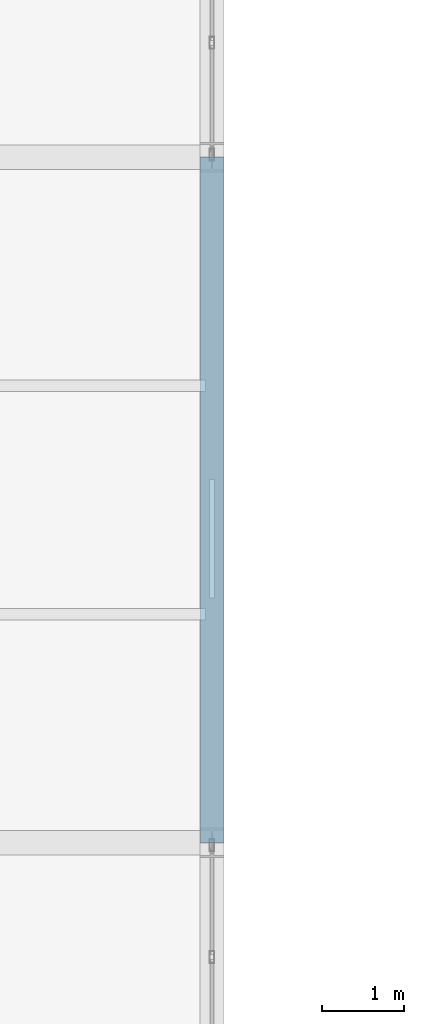
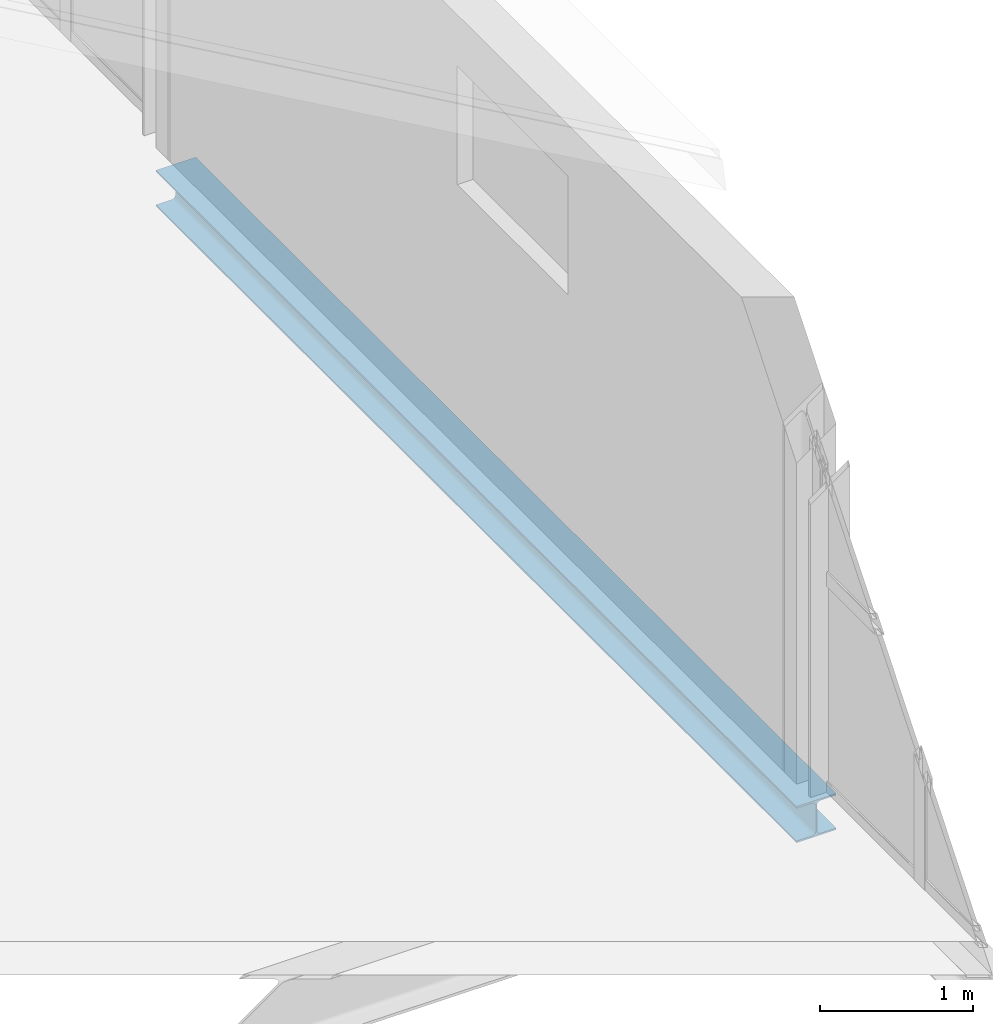
# One storey, part 59 of 184: 1 beam.
"""IFC4 building model written with IfcOpenShell, lengths in metres."""

import ifcopenshell
import ifcopenshell.guid

model = None  # the IFC model being written
_history = None  # IfcOwnerHistory: only IFC2X3 demands one
_inside = {}  # id of a spatial element -> (the spatial element, [elements in it])
_under = {}  # id of a project, library or spatial element -> (it, [spatial elements below it])
_declared = {}  # id of a project -> (the project, [libraries it declares])
_typed = {}  # id of a type object -> (the type object, [elements of that type])
_made_of = {}  # id of a material, layer set ... -> (it, [elements and type objects made of it])


def new_model(schema):
    """Start an empty IFC model of exactly this schema.

    Asked for "IFC4X3", IfcOpenShell would pick the latest addendum, in which some entities
    have other attributes; the version numbers below select the first issue.
    IFC2X3 requires an IfcOwnerHistory on every rooted entity: one is made here for all.
    """
    global model, _history
    if schema == "IFC4X3":
        model = ifcopenshell.file(schema_version=(4, 3, 0, 0))
    else:
        model = ifcopenshell.file(schema=schema)
    _inside.clear()
    _under.clear()
    _declared.clear()
    _typed.clear()
    _made_of.clear()
    _history = None
    if model.schema == "IFC2X3":
        org = make("IfcOrganization", Name="unknown")
        user = make(
            "IfcPersonAndOrganization",
            ThePerson=make("IfcPerson", FamilyName="unknown"),
            TheOrganization=org,
        )
        app = make(
            "IfcApplication",
            ApplicationDeveloper=org,
            Version="unknown",
            ApplicationFullName="unknown",
            ApplicationIdentifier="unknown",
        )
        _history = make(
            "IfcOwnerHistory",
            OwningUser=user,
            OwningApplication=app,
            ChangeAction="ADDED",
            CreationDate=0,
        )
    return model


def make(cls, **values):
    """One entity of the class cls with the attributes given. An attribute that is None is left unset."""
    return model.create_entity(
        cls, **{name: value for name, value in values.items() if value is not None}
    )


def rooted(cls, **values):
    """An entity with a GlobalId (a new one), such as an element, a storey or a relation."""
    return make(cls, GlobalId=ifcopenshell.guid.new(), OwnerHistory=_history, **values)


def si_unit(unit_type, name, prefix=None):
    """IfcSIUnit, for example si_unit("LENGTHUNIT", "METRE", prefix="MILLI")."""
    return make("IfcSIUnit", UnitType=unit_type, Prefix=prefix, Name=name)


def assignment(units):
    """IfcUnitAssignment: the units of a project."""
    return None if units is None else make("IfcUnitAssignment", Units=units)


def point(xyz):
    """IfcCartesianPoint."""
    return None if xyz is None else make("IfcCartesianPoint", Coordinates=xyz)


def direction(xyz):
    """IfcDirection."""
    return None if xyz is None else make("IfcDirection", DirectionRatios=xyz)


def frame(location, z_axis=None, x_axis=None):
    """IfcAxis2Placement3D, a coordinate frame: its origin and axes. An axis left out is left unset."""
    return make(
        "IfcAxis2Placement3D",
        Location=point(location),
        Axis=direction(z_axis),
        RefDirection=direction(x_axis),
    )


def frame_2d(location, x_axis=None):
    """IfcAxis2Placement2D, a coordinate frame in the plane: its origin and x axis."""
    return make(
        "IfcAxis2Placement2D", Location=point(location), RefDirection=direction(x_axis)
    )


def origin():
    """The frame at (0, 0, 0) with its axes left unset."""
    return frame((0.0, 0.0, 0.0))


def origin_2d():
    """The frame at (0, 0) in the plane with its x axis left unset."""
    return frame_2d((0.0, 0.0))


def place(relative_to, where):
    """IfcLocalPlacement: puts the frame where relative to a parent placement (None: the world)."""
    return make(
        "IfcLocalPlacement", PlacementRelTo=relative_to, RelativePlacement=where
    )


def context(
    kind, dimensions, precision=None, world=None, true_north=None, identifier=None
):
    """IfcGeometricRepresentationContext, for example the 3D "Model" context."""
    return make(
        "IfcGeometricRepresentationContext",
        ContextIdentifier=identifier,
        ContextType=kind,
        CoordinateSpaceDimension=dimensions,
        Precision=precision,
        WorldCoordinateSystem=world,
        TrueNorth=true_north,
    )


def subcontext(parent, identifier, kind, view, scale=None):
    """IfcGeometricRepresentationSubContext, for example "Body" below "Model"."""
    return make(
        "IfcGeometricRepresentationSubContext",
        ContextIdentifier=identifier,
        ContextType=kind,
        ParentContext=parent,
        TargetScale=scale,
        TargetView=view,
    )


def project(units=None, contexts=None):
    """IfcProject with its units and contexts."""
    return rooted(
        "IfcProject",
        Name="project",
        RepresentationContexts=contexts,
        UnitsInContext=assignment(units),
    )


def spatial(cls, under=None, at=None, **own):
    """A site, building, storey or space (cls), placed at a placement, below another one or the project."""
    s = rooted(cls, ObjectPlacement=at, **own)
    if under is not None:
        _under.setdefault(under.id(), (under, []))[1].append(s)
    return s


def profile(cls, at=None, kind="AREA", **sizes):
    """A parametric profile (cls). Its sizes go by their IFC names, for example OverallWidth=200.0."""
    return make(cls, ProfileType=kind, Position=at, **sizes)


def i_section(**sizes):
    """IfcIShapeProfileDef."""
    return profile("IfcIShapeProfileDef", **sizes)


def extrude(swept, where, along, depth):
    """IfcExtrudedAreaSolid: the profile swept, set in the frame where, extruded along a direction by depth."""
    return make(
        "IfcExtrudedAreaSolid",
        SweptArea=swept,
        Position=where,
        ExtrudedDirection=direction(along),
        Depth=depth,
    )


def shape(context_of_items, identifier, shape_type, items):
    """IfcShapeRepresentation: the items that make up one representation, for example the "Body"."""
    return make(
        "IfcShapeRepresentation",
        ContextOfItems=context_of_items,
        RepresentationIdentifier=identifier,
        RepresentationType=shape_type,
        Items=items,
    )


def material(Name=None, Category=None):
    """IfcMaterial."""
    return make("IfcMaterial", Name=Name, Category=Category)


def material_profile(
    of_material, cross_section, Name=None, Category=None, Priority=None
):
    """IfcMaterialProfile: a cross section and its material."""
    return make(
        "IfcMaterialProfile",
        Name=Name,
        Material=of_material,
        Profile=cross_section,
        Priority=Priority,
        Category=Category,
    )


def profile_set(profiles, Name=None, composite=None):
    """IfcMaterialProfileSet."""
    return make(
        "IfcMaterialProfileSet",
        Name=Name,
        MaterialProfiles=profiles,
        CompositeProfile=composite,
    )


def made_of(thing, what):
    """Note that an element or type object is made of a material, layer set ...; save() writes the relation."""
    if what is not None:
        _made_of.setdefault(what.id(), (what, []))[1].append(thing)
    return thing


def type_object(cls, material=None, **own):
    """A type object (cls), such as IfcWallType, which elements share."""
    return made_of(rooted(cls, **own), material)


def element(
    cls,
    number,
    at=None,
    inside=None,
    cuts=None,
    type_object=None,
    material=None,
    context=None,
    identifier="Body",
    shape_type=None,
    held_by="IfcProductDefinitionShape",
    body=None,
    shapes=None,
    **own,
):
    """One element of the class cls, such as IfcWall. Its Tag is "e" and its number.

    at: its placement. inside: the storey or other place that contains it. cuts: it is an
    opening in that element (IfcRelVoidsElement). A single representation is given by context,
    identifier, shape_type and body (its items); several are given by shapes. held_by: the class
    of the entity that holds the representations. save() writes the other relations.
    """
    e = rooted(cls, Tag="e%d" % number, ObjectPlacement=at, **own)
    if body is not None:
        shapes = [shape(context, identifier, shape_type, body)]
    if shapes is not None:
        e.Representation = make(held_by, Representations=shapes)
    if inside is not None:
        _inside.setdefault(inside.id(), (inside, []))[1].append(e)
    if cuts is not None:
        rooted(
            "IfcRelVoidsElement", RelatingBuildingElement=cuts, RelatedOpeningElement=e
        )
    if type_object is not None:
        _typed.setdefault(type_object.id(), (type_object, []))[1].append(e)
    return made_of(e, material)


def aggregate(whole, parts):
    """IfcRelAggregates: a whole, such as a stair, and the parts it consists of."""
    return rooted("IfcRelAggregates", RelatingObject=whole, RelatedObjects=parts)


def save(model, path):
    """Write the relations noted so far, then the file.

    IfcRelAggregates (storeys below a building ...), IfcRelContainedInSpatialStructure (elements
    in a storey), IfcRelDefinesByType, IfcRelAssociatesMaterial and IfcRelDeclares: one each for
    every whole, place, type object, material and project.
    """
    for whole, parts in _under.values():
        aggregate(whole, parts)
    for where, things in _inside.values():
        rooted(
            "IfcRelContainedInSpatialStructure",
            RelatedElements=things,
            RelatingStructure=where,
        )
    for kind, things in _typed.values():
        rooted("IfcRelDefinesByType", RelatedObjects=things, RelatingType=kind)
    for what, things in _made_of.values():
        rooted("IfcRelAssociatesMaterial", RelatedObjects=things, RelatingMaterial=what)
    for by, libraries in _declared.values():
        rooted("IfcRelDeclares", RelatingContext=by, RelatedDefinitions=libraries)
    model.write(path)


model = new_model("IFC4")

# Units and contexts
model_context = context("Model", 3, precision=1e-05, world=origin(), true_north=direction((0.0, 1.0)))
body_context = subcontext(model_context, "Body", "Model", "MODEL_VIEW")
ifc_project = project(units=[si_unit("LENGTHUNIT", "METRE"), si_unit("AREAUNIT", "SQUARE_METRE"), si_unit("VOLUMEUNIT", "CUBIC_METRE"), si_unit("PLANEANGLEUNIT", "RADIAN"), si_unit("MASSUNIT", "GRAM", prefix="KILO")], contexts=[model_context])

# Site, building, storey
site_placement = place(None, origin())
site = spatial("IfcSite", under=ifc_project, at=site_placement, CompositionType="ELEMENT")
building_placement = place(site_placement, origin())
building = spatial("IfcBuilding", under=site, at=building_placement, Name="Qalvenar Corner Mobility Hub", CompositionType="ELEMENT")
storey_placement = place(building_placement, frame((0.0, 0.0, 9.0)))
storey = spatial("IfcBuildingStorey", under=building, at=storey_placement, Name="L02", CompositionType="ELEMENT", Elevation=9.0)

# Beam
ifc_material = material(Name="Steel S355", Category="steel")
ifc_material_profile = material_profile(ifc_material, i_section(OverallWidth=0.300048828125, OverallDepth=0.2900390625, WebThickness=0.008544921875, FlangeThickness=0.013916015625, FilletRadius=0.027099609375, at=origin_2d()), Name="HEA300")
ifc_profile_set = profile_set([ifc_material_profile], Name="Steel S355")
beam_type = type_object("IfcBeamType", Name="BM-SPN300", PredefinedType="SPANDREL", material=ifc_profile_set)
beam_placement = place(storey_placement, frame((33.60009765625, 58.800048828125, -0.324951171875), z_axis=(0.0, 1.0, 0.0), x_axis=(-1.0, 0.0, 0.0)))
element("IfcBeam", 1, at=beam_placement, inside=storey, type_object=beam_type, Name="Primary Steel Girder GY-1861", PredefinedType="SPANDREL", context=body_context, shape_type="SweptSolid", body=[
    extrude(i_section(OverallWidth=0.300048828125, OverallDepth=0.2900390625, WebThickness=0.008544921875, FlangeThickness=0.013916015625, FilletRadius=0.027099609375, at=origin_2d()), origin(), (0.0, 0.0, 1.0), 8.39990234375),
])

save(model, "model.ifc")
